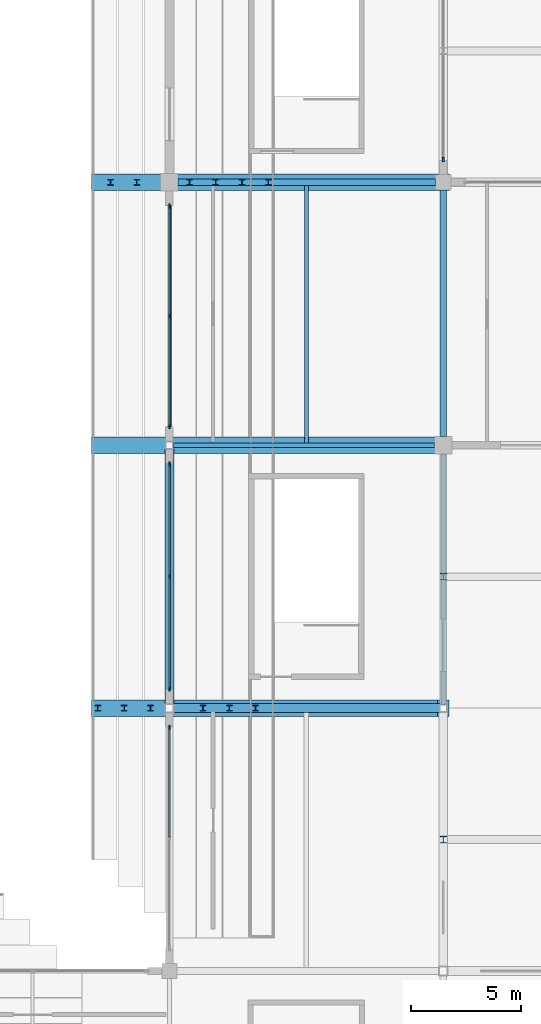
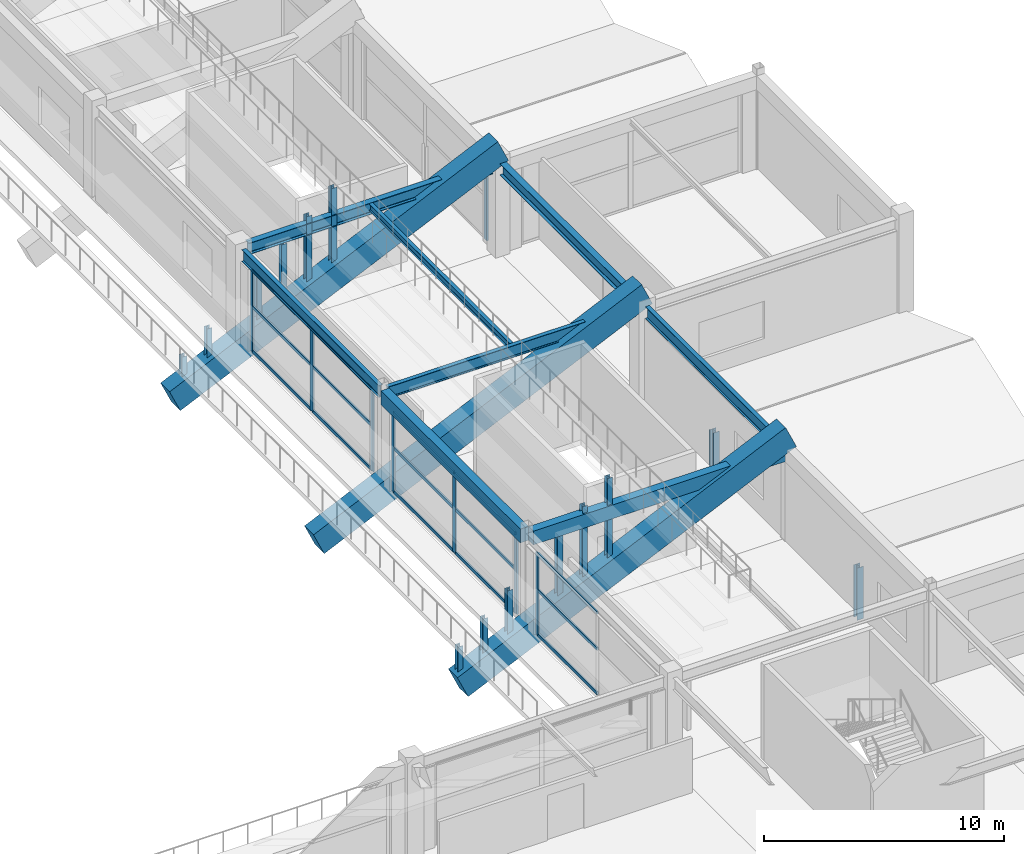
# One storey, part 50 of 128: 37 members, 11 beams, 4 elements without a shape of their own.
"""IFC4 building model written with IfcOpenShell, lengths in metres."""

from ifc_helpers import new_model, si_unit, direction, frame, origin, origin_2d, place, context, subcontext, project, spatial, rectangle, i_section, extrude, material, layer, layer_set, material_profile, profile_set, type_object, element, aggregate, save


model = new_model("IFC4")

# Units and contexts
model_context = context("Model", 3, precision=1e-05, world=origin(), true_north=direction((0.0, 1.0)))
body_context = subcontext(model_context, "Body", "Model", "MODEL_VIEW")
ifc_project = project(units=[si_unit("LENGTHUNIT", "METRE"), si_unit("AREAUNIT", "SQUARE_METRE"), si_unit("VOLUMEUNIT", "CUBIC_METRE"), si_unit("PLANEANGLEUNIT", "RADIAN"), si_unit("MASSUNIT", "GRAM", prefix="KILO")], contexts=[model_context])

# Site, building, storey
site_placement = place(None, origin())
site = spatial("IfcSite", under=ifc_project, at=site_placement, CompositionType="ELEMENT")
building_placement = place(site_placement, origin())
building = spatial("IfcBuilding", under=site, at=building_placement, Name="Kazenohara Klinker Stadium", CompositionType="ELEMENT")
storey_placement = place(building_placement, frame((0.0, 0.0, 15.300048828125)))
storey = spatial("IfcBuildingStorey", under=building, at=storey_placement, Name="L03", CompositionType="ELEMENT", Elevation=15.300048828125)

# Beams
ifc_material_1 = material(Name="Steel S355", Category="steel")
ifc_material_profile_1 = material_profile(ifc_material_1, i_section(OverallWidth=0.175048828125, OverallDepth=0.35009765625, WebThickness=0.007080078125, FlangeThickness=0.010986328125, FilletRadius=0.012939453125, at=origin_2d()), Name="H-350x175x7x11")
ifc_profile_set_1 = profile_set([ifc_material_profile_1], Name="Steel S355")
beam_type_1 = type_object("IfcBeamType", Name="BM-JST04", PredefinedType="JOIST", material=ifc_profile_set_1)
beam_1_placement = place(storey_placement, frame((181.25, 60.10009765625, 4.5849609375), z_axis=(0.0, 1.0, 0.0), x_axis=(-1.0, 0.0, 0.0)))
element("IfcBeam", 1, at=beam_1_placement, inside=storey, type_object=beam_type_1, Name="Secondary floor joist SJ04 L03 15/F", PredefinedType="JOIST", context=body_context, shape_type="SweptSolid", body=[
    extrude(i_section(OverallWidth=0.175048828125, OverallDepth=0.35009765625, WebThickness=0.007080078125, FlangeThickness=0.010986328125, FilletRadius=0.012939453125, at=origin_2d()), origin(), (0.0, 0.0, 1.0), 11.75),
])
ifc_material_2 = material(Name="Concrete C40/50", Category="concrete")
ifc_material_profile_2 = material_profile(ifc_material_2, rectangle(XDim=0.39990234375, YDim=0.699951171875, at=origin_2d()), Name="RC-BM-400x700")
ifc_profile_set_2 = profile_set([ifc_material_profile_2], Name="Concrete C40/50")
beam_type_2 = type_object("IfcBeamType", Name="BM-RC04", PredefinedType="BEAM", material=ifc_profile_set_2)
beam_2_placement = place(storey_placement, frame((175.199951171875, 48.0, 4.409912109375), z_axis=(1.0, 0.0, 0.0), x_axis=(0.0, 1.0, 0.0)))
element("IfcBeam", 2, at=beam_2_placement, inside=storey, type_object=beam_type_2, Name="Primary girder BG04 L03 15-16/E", PredefinedType="BEAM", context=body_context, shape_type="SweptSolid", body=[
    extrude(rectangle(XDim=0.39990234375, YDim=0.699951171875, at=origin_2d()), origin(), (0.0, 0.0, 1.0), 12.125),
])
beam_3_placement = place(storey_placement, frame((175.0, 48.199951171875, 4.409912109375), z_axis=(0.0, 1.0, 0.0), x_axis=(-1.0, 0.0, 0.0)))
element("IfcBeam", 3, at=beam_3_placement, inside=storey, type_object=beam_type_2, Name="Primary girder BG04 L03 15/E-F", PredefinedType="BEAM", context=body_context, shape_type="SweptSolid", body=[
    extrude(rectangle(XDim=0.39990234375, YDim=0.699951171875, at=origin_2d()), origin(), (0.0, 0.0, 1.0), 11.625),
])
ifc_material_profile_3 = material_profile(ifc_material_1, i_section(OverallWidth=0.199951171875, OverallDepth=0.60009765625, WebThickness=0.010986328125, FlangeThickness=0.01708984375, FilletRadius=0.012939453125, at=origin_2d()), Name="H-600x200x11x17")
ifc_profile_set_3 = profile_set([ifc_material_profile_3], Name="Steel S355")
beam_type_3 = type_object("IfcBeamType", Name="BM-ST04", PredefinedType="BEAM", material=ifc_profile_set_3)
beam_4_placement = place(storey_placement, frame((175.175048828125, 60.0, 4.4599609375), z_axis=(1.0, 0.0, 0.0), x_axis=(0.0, 1.0, 0.0)))
element("IfcBeam", 4, at=beam_4_placement, inside=storey, type_object=beam_type_3, Name="Primary girder SB04 L03 15-16/F", PredefinedType="BEAM", context=body_context, shape_type="SweptSolid", body=[
    extrude(i_section(OverallWidth=0.199951171875, OverallDepth=0.60009765625, WebThickness=0.010986328125, FlangeThickness=0.01708984375, FilletRadius=0.012939453125, at=origin_2d()), origin(), (0.0, 0.0, 1.0), 11.925048828125),
])
for number, where, z_axis, x_axis, name in (
    (5, (175.0, 60.175048828125, 4.4599609375), (0.0, 1.0, 0.0), (-1.0, 0.0, 0.0), "Primary girder SB04 L03 15/F-G"),
    (6, (187.5, 48.175048828125, 4.4599609375), (0.0, 1.0, 0.0), (-1.0, 0.0, 0.0), "Primary girder SB04 L03 16/E-F"),
):
    element("IfcBeam", number, at=place(storey_placement, frame(where, z_axis=z_axis, x_axis=x_axis)), inside=storey, type_object=beam_type_3, Name=name, PredefinedType="BEAM", context=body_context, shape_type="SweptSolid", body=[
        extrude(i_section(OverallWidth=0.199951171875, OverallDepth=0.60009765625, WebThickness=0.010986328125, FlangeThickness=0.01708984375, FilletRadius=0.012939453125, at=origin_2d()), origin(), (0.0, 0.0, 1.0), 11.425048828125),
    ])
ifc_material_profile_4 = material_profile(ifc_material_1, i_section(OverallWidth=0.300048828125, OverallDepth=0.587890625, WebThickness=0.011962890625, FlangeThickness=0.02001953125, FilletRadius=0.02197265625, at=origin_2d()), Name="H-588x300x12x20")
ifc_profile_set_4 = profile_set([ifc_material_profile_4], Name="Steel S355")
beam_type_4 = type_object("IfcBeamType", Name="BM-ST05", PredefinedType="BEAM", material=ifc_profile_set_4)
beam_5_placement = place(storey_placement, frame((175.39990234375, 72.0, 4.466064453125), z_axis=(1.0, 0.0, 0.0), x_axis=(0.0, 1.0, 0.0)))
element("IfcBeam", 7, at=beam_5_placement, inside=storey, type_object=beam_type_4, Name="Primary girder SB05 L03 15-16/G", PredefinedType="BEAM", context=body_context, shape_type="SweptSolid", body=[
    extrude(i_section(OverallWidth=0.300048828125, OverallDepth=0.587890625, WebThickness=0.011962890625, FlangeThickness=0.02001953125, FilletRadius=0.02197265625, at=origin_2d()), origin(), (0.0, 0.0, 1.0), 11.75),
])
beam_6_placement = place(storey_placement, frame((187.5, 60.39990234375, 4.466064453125), z_axis=(0.0, 1.0, 0.0), x_axis=(-1.0, 0.0, 0.0)))
element("IfcBeam", 8, at=beam_6_placement, inside=storey, type_object=beam_type_4, Name="Primary girder SB05 L03 16/F-G", PredefinedType="BEAM", context=body_context, shape_type="SweptSolid", body=[
    extrude(i_section(OverallWidth=0.300048828125, OverallDepth=0.587890625, WebThickness=0.011962890625, FlangeThickness=0.02001953125, FilletRadius=0.02197265625, at=origin_2d()), origin(), (0.0, 0.0, 1.0), 11.25),
])

# Curtain wall, member
ifc_material_3 = material(Name="Anodised aluminium and triple glazing", Category="aluminium")
ifc_layer_1 = layer(ifc_material_3, 0.159912109375)
ifc_layer_set_1 = layer_set([ifc_layer_1], Name="Anodised aluminium and triple glazing")
curtain_wall_type_1 = type_object("IfcCurtainWallType", Name="CW-SYS-01", PredefinedType="USERDEFINED", material=ifc_layer_set_1)
curtain_wall_1_placement = place(storey_placement, origin())
curtain_wall_1 = element("IfcCurtainWall", 9, at=curtain_wall_1_placement, inside=storey, type_object=curtain_wall_type_1, Name="Unitised facade curtain wall CW01 L03 Y14-3", ObjectType="UNITISED CURTAIN WALL", PredefinedType="USERDEFINED")
ifc_material_4 = material(Name="Anodised aluminium 6063-T6", Category="aluminium")
ifc_material_profile_5 = material_profile(ifc_material_4, rectangle(XDim=0.074951171875, YDim=0.219970703125, at=origin_2d()), Name="ALU-MUL-75x220")
ifc_profile_set_5 = profile_set([ifc_material_profile_5], Name="Anodised aluminium 6063-T6")
member_type_1 = type_object("IfcMemberType", Name="CW-MUL-220", PredefinedType="MULLION", material=ifc_profile_set_5)
member_1_placement = place(storey_placement, frame((175.0, 47.1083984375, 0.0), z_axis=(0.0, 0.0, 1.0), x_axis=(-1.0, 0.0, 0.0)))
member_1 = element("IfcMember", 10, at=member_1_placement, type_object=member_type_1, Name="CW01 mullion 3", PredefinedType="MULLION", context=body_context, shape_type="SweptSolid", body=[
    extrude(rectangle(XDim=0.074951171875, YDim=0.219970703125, at=origin_2d()), origin(), (0.0, 0.0, 1.0), 4.171875),
])

# Curtain wall, members
ifc_layer_2 = layer(ifc_material_3, 0.179931640625)
ifc_layer_set_2 = layer_set([ifc_layer_2], Name="Anodised aluminium and triple glazing")
curtain_wall_type_2 = type_object("IfcCurtainWallType", Name="CW-SYS-02", PredefinedType="USERDEFINED", material=ifc_layer_set_2)
curtain_wall_2_placement = place(storey_placement, origin())
curtain_wall_2 = element("IfcCurtainWall", 11, at=curtain_wall_2_placement, inside=storey, type_object=curtain_wall_type_2, Name="Unitised facade curtain wall CW02 L03 Y14-4", ObjectType="UNITISED CURTAIN WALL", PredefinedType="USERDEFINED")
member_2_placement = place(storey_placement, frame((175.0, 48.8916015625, 0.0), z_axis=(0.0, 0.0, 1.0), x_axis=(-1.0, 0.0, 0.0)))
member_2 = element("IfcMember", 12, at=member_2_placement, type_object=member_type_1, Name="CW02 mullion 1", PredefinedType="MULLION", context=body_context, shape_type="SweptSolid", body=[
    extrude(rectangle(XDim=0.074951171875, YDim=0.219970703125, at=origin_2d()), origin(), (0.0, 0.0, 1.0), 4.06005859375),
])
member_3_placement = place(storey_placement, frame((175.0, 54.012451171875, 0.0), z_axis=(0.0, 0.0, 1.0), x_axis=(-1.0, 0.0, 0.0)))
member_3 = element("IfcMember", 13, at=member_3_placement, type_object=member_type_1, Name="CW02 mullion 2", PredefinedType="MULLION", context=body_context, shape_type="SweptSolid", body=[
    extrude(rectangle(XDim=0.074951171875, YDim=0.219970703125, at=origin_2d()), origin(), (0.0, 0.0, 1.0), 4.06005859375),
])
member_4_placement = place(storey_placement, frame((175.0, 59.133544921875, 0.0), z_axis=(0.0, 0.0, 1.0), x_axis=(-1.0, 0.0, 0.0)))
member_4 = element("IfcMember", 14, at=member_4_placement, type_object=member_type_1, Name="CW02 mullion 3", PredefinedType="MULLION", context=body_context, shape_type="SweptSolid", body=[
    extrude(rectangle(XDim=0.074951171875, YDim=0.219970703125, at=origin_2d()), origin(), (0.0, 0.0, 1.0), 4.06005859375),
])

ifc_layer_3 = layer(ifc_material_3, 0.199951171875)
ifc_layer_set_3 = layer_set([ifc_layer_3], Name="Anodised aluminium and triple glazing")
curtain_wall_type_3 = type_object("IfcCurtainWallType", Name="CW-SYS-03", PredefinedType="USERDEFINED", material=ifc_layer_set_3)
curtain_wall_3_placement = place(storey_placement, origin())
curtain_wall_3 = element("IfcCurtainWall", 15, at=curtain_wall_3_placement, inside=storey, type_object=curtain_wall_type_3, Name="Unitised facade curtain wall CW03 L03 Y14-5", ObjectType="UNITISED CURTAIN WALL", PredefinedType="USERDEFINED")
member_5_placement = place(storey_placement, frame((175.0, 60.866455078125, 0.0), z_axis=(0.0, 0.0, 1.0), x_axis=(-1.0, 0.0, 0.0)))
member_5 = element("IfcMember", 16, at=member_5_placement, type_object=member_type_1, Name="CW03 mullion 1", PredefinedType="MULLION", context=body_context, shape_type="SweptSolid", body=[
    extrude(rectangle(XDim=0.074951171875, YDim=0.219970703125, at=origin_2d()), origin(), (0.0, 0.0, 1.0), 4.159912109375),
])
member_6_placement = place(storey_placement, frame((175.0, 65.887451171875, 0.0), z_axis=(0.0, 0.0, 1.0), x_axis=(-1.0, 0.0, 0.0)))
member_6 = element("IfcMember", 17, at=member_6_placement, type_object=member_type_1, Name="CW03 mullion 2", PredefinedType="MULLION", context=body_context, shape_type="SweptSolid", body=[
    extrude(rectangle(XDim=0.074951171875, YDim=0.219970703125, at=origin_2d()), origin(), (0.0, 0.0, 1.0), 4.159912109375),
])
member_7_placement = place(storey_placement, frame((175.0, 70.908447265625, 0.0), z_axis=(0.0, 0.0, 1.0), x_axis=(-1.0, 0.0, 0.0)))
member_7 = element("IfcMember", 18, at=member_7_placement, type_object=member_type_1, Name="CW03 mullion 3", PredefinedType="MULLION", context=body_context, shape_type="SweptSolid", body=[
    extrude(rectangle(XDim=0.074951171875, YDim=0.219970703125, at=origin_2d()), origin(), (0.0, 0.0, 1.0), 4.159912109375),
])

# Curtain wall, member
ifc_layer_4 = layer(ifc_material_3, 0.169921875)
ifc_layer_set_4 = layer_set([ifc_layer_4], Name="Anodised aluminium and triple glazing")
curtain_wall_type_4 = type_object("IfcCurtainWallType", Name="CW-SYS-04", PredefinedType="USERDEFINED", material=ifc_layer_set_4)
curtain_wall_4_placement = place(storey_placement, origin())
curtain_wall_4 = element("IfcCurtainWall", 19, at=curtain_wall_4_placement, inside=storey, type_object=curtain_wall_type_4, Name="Unitised facade curtain wall CW04 L03 Y15-6", ObjectType="UNITISED CURTAIN WALL", PredefinedType="USERDEFINED")
member_8_placement = place(storey_placement, frame((187.5, 73.04150390625, 0.0), z_axis=(0.0, 0.0, 1.0), x_axis=(-1.0, 0.0, 0.0)))
member_8 = element("IfcMember", 20, at=member_8_placement, type_object=member_type_1, Name="CW04 mullion 1", PredefinedType="MULLION", context=body_context, shape_type="SweptSolid", body=[
    extrude(rectangle(XDim=0.074951171875, YDim=0.219970703125, at=origin_2d()), origin(), (0.0, 0.0, 1.0), 4.06005859375),
])
aggregate(curtain_wall_4, [member_8])

# Member
ifc_material_profile_6 = material_profile(ifc_material_4, rectangle(XDim=0.074951171875, YDim=0.159912109375, at=origin_2d()), Name="ALU-TRN-75x160")
ifc_profile_set_6 = profile_set([ifc_material_profile_6], Name="Anodised aluminium 6063-T6")
member_type_2 = type_object("IfcMemberType", Name="CW-TRN-160", PredefinedType="USERDEFINED", material=ifc_profile_set_6)
member_9_placement = place(storey_placement, frame((175.0, 42.112548828125, 0.037353515625), z_axis=(0.0, 1.0, 0.0), x_axis=(-1.0, 0.0, 0.0)))
member_9 = element("IfcMember", 21, at=member_9_placement, type_object=member_type_2, Name="CW01 transom 2.1", ObjectType="TRANSOM", PredefinedType="USERDEFINED", context=body_context, shape_type="SweptSolid", body=[
    extrude(rectangle(XDim=0.074951171875, YDim=0.159912109375, at=origin_2d()), origin(), (0.0, 0.0, 1.0), 4.95849609375),
])

member_10_placement = place(storey_placement, frame((175.0, 42.112548828125, 2.29443359375), z_axis=(0.0, 1.0, 0.0), x_axis=(-1.0, 0.0, 0.0)))
member_10 = element("IfcMember", 22, at=member_10_placement, type_object=member_type_2, Name="CW01 transom 2.2", ObjectType="TRANSOM", PredefinedType="USERDEFINED", context=body_context, shape_type="SweptSolid", body=[
    extrude(rectangle(XDim=0.074951171875, YDim=0.159912109375, at=origin_2d()), origin(), (0.0, 0.0, 1.0), 4.95849609375),
])

member_11_placement = place(storey_placement, frame((175.0, 42.112548828125, 4.134521484375), z_axis=(0.0, 1.0, 0.0), x_axis=(-1.0, 0.0, 0.0)))
member_11 = element("IfcMember", 23, at=member_11_placement, type_object=member_type_2, Name="CW01 transom 2.3", ObjectType="TRANSOM", PredefinedType="USERDEFINED", context=body_context, shape_type="SweptSolid", body=[
    extrude(rectangle(XDim=0.074951171875, YDim=0.159912109375, at=origin_2d()), origin(), (0.0, 0.0, 1.0), 4.95849609375),
])

aggregate(curtain_wall_1, [member_1, member_9, member_10, member_11])

member_12_placement = place(storey_placement, frame((175.0, 48.928955078125, 0.037353515625), z_axis=(0.0, 1.0, 0.0), x_axis=(-1.0, 0.0, 0.0)))
member_12 = element("IfcMember", 24, at=member_12_placement, type_object=member_type_2, Name="CW02 transom 1.1", ObjectType="TRANSOM", PredefinedType="USERDEFINED", context=body_context, shape_type="SweptSolid", body=[
    extrude(rectangle(XDim=0.074951171875, YDim=0.159912109375, at=origin_2d()), origin(), (0.0, 0.0, 1.0), 5.046142578125),
])

member_13_placement = place(storey_placement, frame((175.0, 48.928955078125, 2.23291015625), z_axis=(0.0, 1.0, 0.0), x_axis=(-1.0, 0.0, 0.0)))
member_13 = element("IfcMember", 25, at=member_13_placement, type_object=member_type_2, Name="CW02 transom 1.2", ObjectType="TRANSOM", PredefinedType="USERDEFINED", context=body_context, shape_type="SweptSolid", body=[
    extrude(rectangle(XDim=0.074951171875, YDim=0.159912109375, at=origin_2d()), origin(), (0.0, 0.0, 1.0), 5.046142578125),
])

member_14_placement = place(storey_placement, frame((175.0, 48.928955078125, 4.0224609375), z_axis=(0.0, 1.0, 0.0), x_axis=(-1.0, 0.0, 0.0)))
member_14 = element("IfcMember", 26, at=member_14_placement, type_object=member_type_2, Name="CW02 transom 1.3", ObjectType="TRANSOM", PredefinedType="USERDEFINED", context=body_context, shape_type="SweptSolid", body=[
    extrude(rectangle(XDim=0.074951171875, YDim=0.159912109375, at=origin_2d()), origin(), (0.0, 0.0, 1.0), 5.046142578125),
])

member_15_placement = place(storey_placement, frame((175.0, 54.050048828125, 0.037353515625), z_axis=(0.0, 1.0, 0.0), x_axis=(-1.0, 0.0, 0.0)))
member_15 = element("IfcMember", 27, at=member_15_placement, type_object=member_type_2, Name="CW02 transom 2.1", ObjectType="TRANSOM", PredefinedType="USERDEFINED", context=body_context, shape_type="SweptSolid", body=[
    extrude(rectangle(XDim=0.074951171875, YDim=0.159912109375, at=origin_2d()), origin(), (0.0, 0.0, 1.0), 5.0458984375),
])

member_16_placement = place(storey_placement, frame((175.0, 54.050048828125, 2.23291015625), z_axis=(0.0, 1.0, 0.0), x_axis=(-1.0, 0.0, 0.0)))
member_16 = element("IfcMember", 28, at=member_16_placement, type_object=member_type_2, Name="CW02 transom 2.2", ObjectType="TRANSOM", PredefinedType="USERDEFINED", context=body_context, shape_type="SweptSolid", body=[
    extrude(rectangle(XDim=0.074951171875, YDim=0.159912109375, at=origin_2d()), origin(), (0.0, 0.0, 1.0), 5.0458984375),
])

member_17_placement = place(storey_placement, frame((175.0, 54.050048828125, 4.0224609375), z_axis=(0.0, 1.0, 0.0), x_axis=(-1.0, 0.0, 0.0)))
member_17 = element("IfcMember", 29, at=member_17_placement, type_object=member_type_2, Name="CW02 transom 2.3", ObjectType="TRANSOM", PredefinedType="USERDEFINED", context=body_context, shape_type="SweptSolid", body=[
    extrude(rectangle(XDim=0.074951171875, YDim=0.159912109375, at=origin_2d()), origin(), (0.0, 0.0, 1.0), 5.0458984375),
])

aggregate(curtain_wall_2, [member_2, member_3, member_4, member_12, member_13, member_14, member_15, member_16, member_17])

member_18_placement = place(storey_placement, frame((175.0, 60.904052734375, 0.037353515625), z_axis=(0.0, 1.0, 0.0), x_axis=(-1.0, 0.0, 0.0)))
member_18 = element("IfcMember", 30, at=member_18_placement, type_object=member_type_2, Name="CW03 transom 1.1", ObjectType="TRANSOM", PredefinedType="USERDEFINED", context=body_context, shape_type="SweptSolid", body=[
    extrude(rectangle(XDim=0.074951171875, YDim=0.159912109375, at=origin_2d()), origin(), (0.0, 0.0, 1.0), 4.946044921875),
])

member_19_placement = place(storey_placement, frame((175.0, 60.904052734375, 2.287841796875), z_axis=(0.0, 1.0, 0.0), x_axis=(-1.0, 0.0, 0.0)))
member_19 = element("IfcMember", 31, at=member_19_placement, type_object=member_type_2, Name="CW03 transom 1.2", ObjectType="TRANSOM", PredefinedType="USERDEFINED", context=body_context, shape_type="SweptSolid", body=[
    extrude(rectangle(XDim=0.074951171875, YDim=0.159912109375, at=origin_2d()), origin(), (0.0, 0.0, 1.0), 4.946044921875),
])

member_20_placement = place(storey_placement, frame((175.0, 60.904052734375, 4.12255859375), z_axis=(0.0, 1.0, 0.0), x_axis=(-1.0, 0.0, 0.0)))
member_20 = element("IfcMember", 32, at=member_20_placement, type_object=member_type_2, Name="CW03 transom 1.3", ObjectType="TRANSOM", PredefinedType="USERDEFINED", context=body_context, shape_type="SweptSolid", body=[
    extrude(rectangle(XDim=0.074951171875, YDim=0.159912109375, at=origin_2d()), origin(), (0.0, 0.0, 1.0), 4.946044921875),
])

member_21_placement = place(storey_placement, frame((175.0, 65.925048828125, 0.037353515625), z_axis=(0.0, 1.0, 0.0), x_axis=(-1.0, 0.0, 0.0)))
member_21 = element("IfcMember", 33, at=member_21_placement, type_object=member_type_2, Name="CW03 transom 2.1", ObjectType="TRANSOM", PredefinedType="USERDEFINED", context=body_context, shape_type="SweptSolid", body=[
    extrude(rectangle(XDim=0.074951171875, YDim=0.159912109375, at=origin_2d()), origin(), (0.0, 0.0, 1.0), 4.946044921875),
])

member_22_placement = place(storey_placement, frame((175.0, 65.925048828125, 2.287841796875), z_axis=(0.0, 1.0, 0.0), x_axis=(-1.0, 0.0, 0.0)))
member_22 = element("IfcMember", 34, at=member_22_placement, type_object=member_type_2, Name="CW03 transom 2.2", ObjectType="TRANSOM", PredefinedType="USERDEFINED", context=body_context, shape_type="SweptSolid", body=[
    extrude(rectangle(XDim=0.074951171875, YDim=0.159912109375, at=origin_2d()), origin(), (0.0, 0.0, 1.0), 4.946044921875),
])

member_23_placement = place(storey_placement, frame((175.0, 65.925048828125, 4.12255859375), z_axis=(0.0, 1.0, 0.0), x_axis=(-1.0, 0.0, 0.0)))
member_23 = element("IfcMember", 35, at=member_23_placement, type_object=member_type_2, Name="CW03 transom 2.3", ObjectType="TRANSOM", PredefinedType="USERDEFINED", context=body_context, shape_type="SweptSolid", body=[
    extrude(rectangle(XDim=0.074951171875, YDim=0.159912109375, at=origin_2d()), origin(), (0.0, 0.0, 1.0), 4.946044921875),
])

aggregate(curtain_wall_3, [member_5, member_6, member_7, member_18, member_19, member_20, member_21, member_22, member_23])

# Members
ifc_material_profile_7 = material_profile(ifc_material_1, i_section(OverallWidth=0.300048828125, OverallDepth=0.300048828125, WebThickness=0.010009765625, FlangeThickness=0.014892578125, FilletRadius=0.012939453125, at=origin_2d()), Name="H-300x300x10x15")
ifc_profile_set_7 = profile_set([ifc_material_profile_7], Name="Steel S355")
member_type_3 = type_object("IfcMemberType", Name="MEM-STR01", PredefinedType="STRUT", material=ifc_profile_set_7)
member_24_placement = place(storey_placement, frame((187.5, 42.0, -0.429931640625), z_axis=(0.0, 0.0, 1.0), x_axis=(1.0, 0.0, 0.0)))
element("IfcMember", 36, at=member_24_placement, inside=storey, type_object=member_type_3, Name="Stepped pavilion gable king-post L03 16/D W", PredefinedType="STRUT", context=body_context, shape_type="SweptSolid", body=[
    extrude(i_section(OverallWidth=0.300048828125, OverallDepth=0.300048828125, WebThickness=0.010009765625, FlangeThickness=0.014892578125, FilletRadius=0.012939453125, at=origin_2d()), origin(), (0.0, 0.0, 1.0), 2.659912109375),
])
member_25_placement = place(storey_placement, frame((187.5, 54.0, -0.429931640625), z_axis=(0.0, 0.0, 1.0), x_axis=(1.0, 0.0, 0.0)))
element("IfcMember", 37, at=member_25_placement, inside=storey, type_object=member_type_3, Name="Stepped pavilion gable king-post L03 16/E W", PredefinedType="STRUT", context=body_context, shape_type="SweptSolid", body=[
    extrude(i_section(OverallWidth=0.300048828125, OverallDepth=0.300048828125, WebThickness=0.010009765625, FlangeThickness=0.014892578125, FilletRadius=0.012939453125, at=origin_2d()), origin(), (0.0, 0.0, 1.0), 2.259765625),
])
ifc_material_profile_8 = material_profile(ifc_material_1, i_section(OverallWidth=0.25, OverallDepth=0.25, WebThickness=0.009033203125, FlangeThickness=0.013916015625, FilletRadius=0.012939453125, at=origin_2d()), Name="H-250x250x9x14")
ifc_profile_set_8 = profile_set([ifc_material_profile_8], Name="Steel S355")
member_type_4 = type_object("IfcMemberType", Name="MEM-STR02", PredefinedType="STRUT", material=ifc_profile_set_8)
for number, where, z_axis, x_axis, name in (
    (38, (178.929931640625, 48.0, 2.04541015625), (0.0, 0.0, 1.0), (1.0, 0.0, 0.0), "Precast tier riser stool UPPER-E-01-04"),
    (39, (179.510009765625, 72.0, 2.04541015625), (0.0, 0.0, 1.0), (1.0, 0.0, 0.0), "Precast tier riser stool UPPER-E-01-06"),
):
    element("IfcMember", number, at=place(storey_placement, frame(where, z_axis=z_axis, x_axis=x_axis)), inside=storey, type_object=member_type_4, Name=name, PredefinedType="STRUT", context=body_context, shape_type="SweptSolid", body=[
        extrude(i_section(OverallWidth=0.25, OverallDepth=0.25, WebThickness=0.009033203125, FlangeThickness=0.013916015625, FilletRadius=0.012939453125, at=origin_2d()), origin(), (0.0, 0.0, 1.0), 4.074462890625),
    ])
for number, where, z_axis, x_axis, name in (
    (40, (177.72998046875, 48.0, 1.49853515625), (0.0, 0.0, 1.0), (1.0, 0.0, 0.0), "Precast tier riser stool UPPER-E-02-04"),
    (41, (178.31005859375, 72.0, 1.49853515625), (0.0, 0.0, 1.0), (1.0, 0.0, 0.0), "Precast tier riser stool UPPER-E-02-06"),
):
    element("IfcMember", number, at=place(storey_placement, frame(where, z_axis=z_axis, x_axis=x_axis)), inside=storey, type_object=member_type_4, Name=name, PredefinedType="STRUT", context=body_context, shape_type="SweptSolid", body=[
        extrude(i_section(OverallWidth=0.25, OverallDepth=0.25, WebThickness=0.009033203125, FlangeThickness=0.013916015625, FilletRadius=0.012939453125, at=origin_2d()), origin(), (0.0, 0.0, 1.0), 3.613037109375),
    ])
for number, where, z_axis, x_axis, name in (
    (42, (176.530029296875, 48.0, 0.95166015625), (0.0, 0.0, 1.0), (1.0, 0.0, 0.0), "Precast tier riser stool UPPER-E-03-04"),
    (43, (177.110107421875, 72.0, 0.95166015625), (0.0, 0.0, 1.0), (1.0, 0.0, 0.0), "Precast tier riser stool UPPER-E-03-06"),
):
    element("IfcMember", number, at=place(storey_placement, frame(where, z_axis=z_axis, x_axis=x_axis)), inside=storey, type_object=member_type_4, Name=name, PredefinedType="STRUT", context=body_context, shape_type="SweptSolid", body=[
        extrude(i_section(OverallWidth=0.25, OverallDepth=0.25, WebThickness=0.009033203125, FlangeThickness=0.013916015625, FilletRadius=0.012939453125, at=origin_2d()), origin(), (0.0, 0.0, 1.0), 3.151611328125),
    ])
member_26_placement = place(storey_placement, frame((175.909912109375, 72.0, 0.40478515625), z_axis=(0.0, 0.0, 1.0), x_axis=(1.0, 0.0, 0.0)))
element("IfcMember", 44, at=member_26_placement, inside=storey, type_object=member_type_4, Name="Precast tier riser stool UPPER-E-04-06", PredefinedType="STRUT", context=body_context, shape_type="SweptSolid", body=[
    extrude(i_section(OverallWidth=0.25, OverallDepth=0.25, WebThickness=0.009033203125, FlangeThickness=0.013916015625, FilletRadius=0.012939453125, at=origin_2d()), origin(), (0.0, 0.0, 1.0), 2.690185546875),
])
member_27_placement = place(storey_placement, frame((174.1298828125, 48.0, -0.141845703125), z_axis=(0.0, 0.0, 1.0), x_axis=(1.0, 0.0, 0.0)))
element("IfcMember", 45, at=member_27_placement, inside=storey, type_object=member_type_4, Name="Precast tier riser stool UPPER-E-05-04", PredefinedType="STRUT", context=body_context, shape_type="SweptSolid", body=[
    extrude(i_section(OverallWidth=0.25, OverallDepth=0.25, WebThickness=0.009033203125, FlangeThickness=0.013916015625, FilletRadius=0.012939453125, at=origin_2d()), origin(), (0.0, 0.0, 1.0), 2.228515625),
])
for number, where, z_axis, x_axis, name in (
    (46, (172.929931640625, 48.0, -0.68896484375), (0.0, 0.0, 1.0), (1.0, 0.0, 0.0), "Precast tier riser stool UPPER-E-06-04"),
    (47, (173.510009765625, 72.0, -0.68896484375), (0.0, 0.0, 1.0), (1.0, 0.0, 0.0), "Precast tier riser stool UPPER-E-06-06"),
):
    element("IfcMember", number, at=place(storey_placement, frame(where, z_axis=z_axis, x_axis=x_axis)), inside=storey, type_object=member_type_4, Name=name, PredefinedType="STRUT", context=body_context, shape_type="SweptSolid", body=[
        extrude(i_section(OverallWidth=0.25, OverallDepth=0.25, WebThickness=0.009033203125, FlangeThickness=0.013916015625, FilletRadius=0.012939453125, at=origin_2d()), origin(), (0.0, 0.0, 1.0), 1.767333984375),
    ])
for number, where, z_axis, x_axis, name in (
    (48, (171.72998046875, 48.0, -1.235595703125), (0.0, 0.0, 1.0), (1.0, 0.0, 0.0), "Precast tier riser stool UPPER-E-07-04"),
    (49, (172.31005859375, 72.0, -1.235595703125), (0.0, 0.0, 1.0), (1.0, 0.0, 0.0), "Precast tier riser stool UPPER-E-07-06"),
):
    element("IfcMember", number, at=place(storey_placement, frame(where, z_axis=z_axis, x_axis=x_axis)), inside=storey, type_object=member_type_4, Name=name, PredefinedType="STRUT", context=body_context, shape_type="SweptSolid", body=[
        extrude(i_section(OverallWidth=0.25, OverallDepth=0.25, WebThickness=0.009033203125, FlangeThickness=0.013916015625, FilletRadius=0.012939453125, at=origin_2d()), origin(), (0.0, 0.0, 1.0), 1.3056640625),
    ])

# Beams
ifc_material_5 = material(Name="Precast concrete C50/60", Category="concrete")
ifc_material_profile_9 = material_profile(ifc_material_5, rectangle(XDim=0.75, YDim=1.25, at=origin_2d()), Name="PC-RAKER-750x1250")
ifc_profile_set_9 = profile_set([ifc_material_profile_9], Name="Precast concrete C50/60")
beam_type_5 = type_object("IfcBeamType", Name="RAKER-RK02", PredefinedType="USERDEFINED", material=ifc_profile_set_9)
for number, where, z_axis, x_axis, name in (
    (50, (187.5, 48.0, 5.351318359375), (-0.909973134945, 0.0, -0.414667208348), (0.0, -1.0, 0.0), "Precast bowl raker girder RK02 UPPER East E"),
    (51, (187.5, 60.0, 5.351318359375), (-0.909973134945, 0.0, -0.414667208348), (0.0, -1.0, 0.0), "Precast bowl raker girder RK02 UPPER East F"),
    (52, (187.5, 72.0, 5.351318359375), (-0.909973134945, 0.0, -0.414667208348), (0.0, -1.0, 0.0), "Precast bowl raker girder RK02 UPPER East G"),
):
    element("IfcBeam", number, at=place(storey_placement, frame(where, z_axis=z_axis, x_axis=x_axis)), inside=storey, type_object=beam_type_5, Name=name, ObjectType="RAKER", PredefinedType="USERDEFINED", context=body_context, shape_type="SweptSolid", body=[
        extrude(rectangle(XDim=0.75, YDim=1.25, at=origin_2d()), origin(), (0.0, 0.0, 1.0), 17.36328125),
    ])

save(model, "model.ifc")
